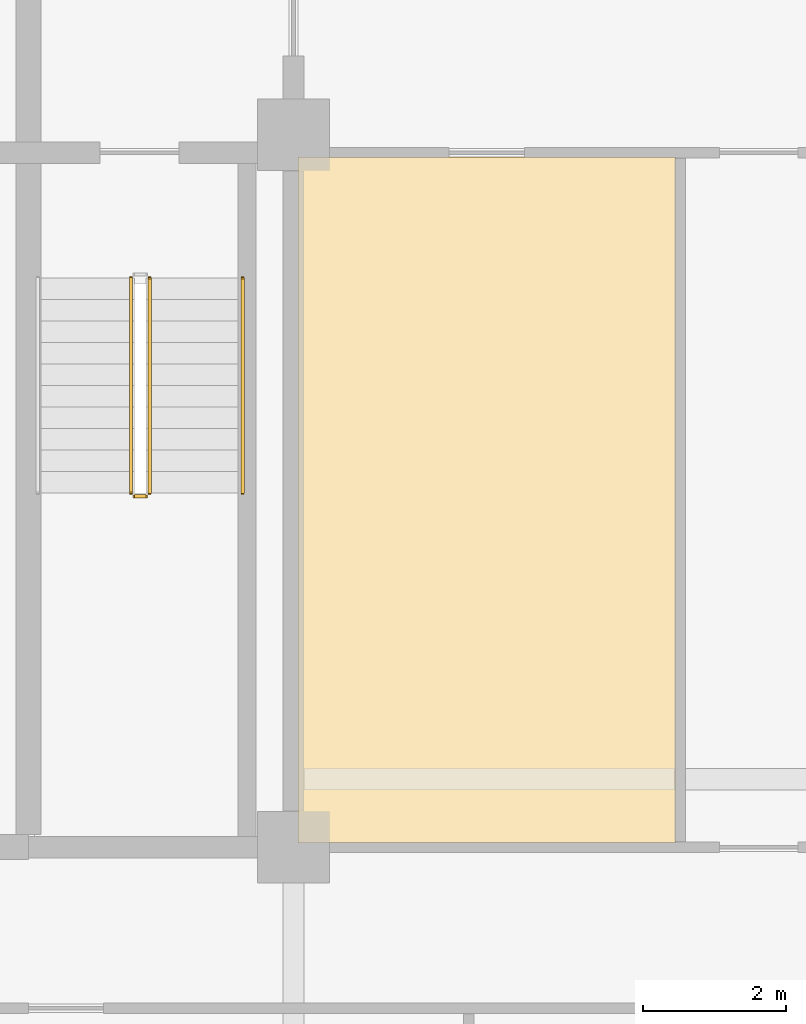
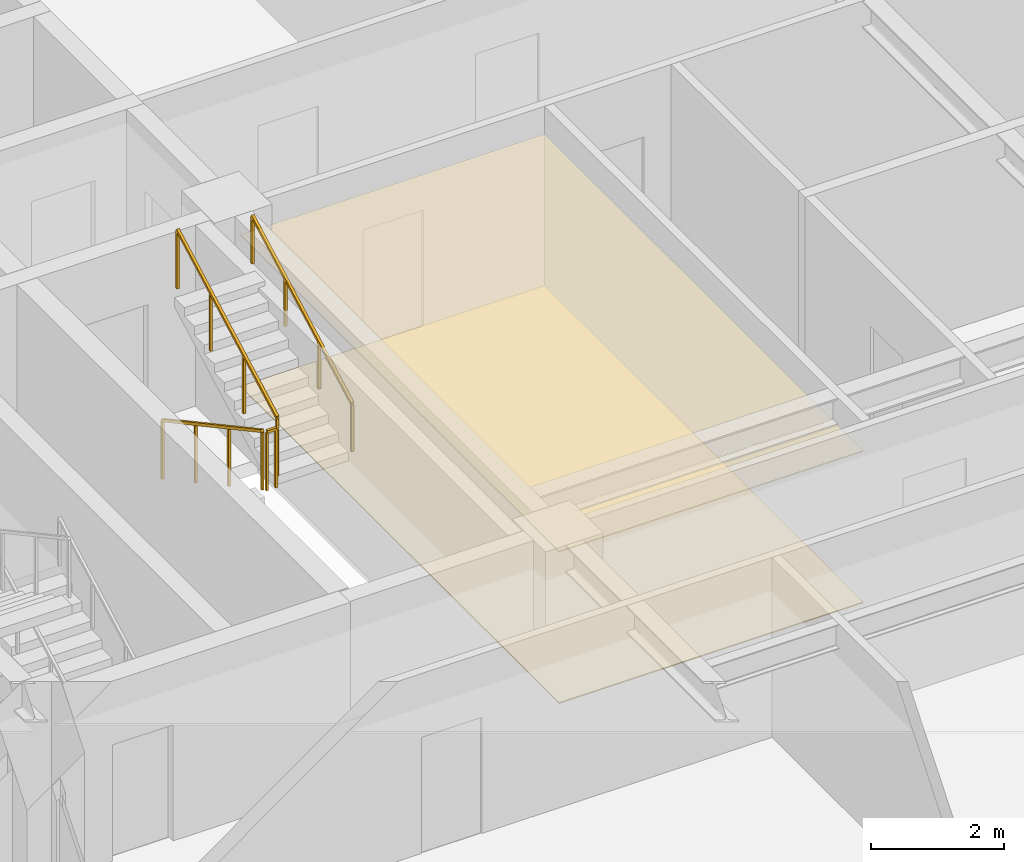
# One storey, part 11 of 15: 4 railings, 2 coverings.
"""IFC4 building model written with IfcOpenShell, lengths in metres."""

from ifc_helpers import new_model, si_unit, direction, frame, origin, origin_2d, place, context, subcontext, project, spatial, polyline, rectangle, outline, extrude, material, layer, layer_set, type_object, element, save


model = new_model("IFC4")

# Units and contexts
model_context = context("Model", 3, precision=1e-05, world=origin(), true_north=direction((0.0, 1.0)))
body_context = subcontext(model_context, "Body", "Model", "MODEL_VIEW")
ifc_project = project(units=[si_unit("LENGTHUNIT", "METRE"), si_unit("AREAUNIT", "SQUARE_METRE"), si_unit("VOLUMEUNIT", "CUBIC_METRE"), si_unit("PLANEANGLEUNIT", "RADIAN"), si_unit("MASSUNIT", "GRAM", prefix="KILO")], contexts=[model_context])

# Site, building, storey
site_placement = place(None, origin())
site = spatial("IfcSite", under=ifc_project, at=site_placement, CompositionType="ELEMENT")
building_placement = place(site_placement, origin())
building = spatial("IfcBuilding", under=site, at=building_placement, Name="Zulmaris Gate Convention Tower", CompositionType="ELEMENT")
storey_placement = place(building_placement, frame((0.0, 0.0, 128.48974609375)))
storey = spatial("IfcBuildingStorey", under=building, at=storey_placement, Name="L32", CompositionType="ELEMENT", Elevation=128.48974609375)

# Coverings
ifc_material_1 = material(Name="Mineral Fibre Acoustic Ceiling Tile")
ifc_layer_1 = layer(ifc_material_1, 0.02001953125, Name="Mineral Fibre Acoustic Ceiling Tile")
ifc_layer_set_1 = layer_set([ifc_layer_1], Name="Mineral Fibre Acoustic Ceiling Tile")
covering_type_1 = type_object("IfcCoveringType", Name="CLG-ACOUSTIC-600", PredefinedType="CEILING", material=ifc_layer_set_1)
covering_1_placement = place(storey_placement, frame((0.0, 0.0, 2.778076171875)))
element("IfcCovering", 1, at=covering_1_placement, inside=storey, type_object=covering_type_1, Name="CLG-L32-R43", PredefinedType="CEILING", context=body_context, shape_type="SweptSolid", body=[
    extrude(outline(polyline([(-10.93994140625, -9.889892578125), (-5.659912109375, -9.889892578125), (-5.659912109375, -0.31005859375), (-10.93994140625, -0.31005859375), (-10.93994140625, -9.889892578125)])), origin(), (0.0, 0.0, 1.0), 0.02001953125),
])
ifc_material_2 = material(Name="Woven Acoustic Wool Carpet Tile")
ifc_layer_2 = layer(ifc_material_2, 0.02001953125, Name="Woven Acoustic Wool Carpet Tile")
ifc_layer_set_2 = layer_set([ifc_layer_2], Name="Woven Acoustic Wool Carpet Tile")
covering_type_2 = type_object("IfcCoveringType", Name="FLR-CARPET-12", PredefinedType="FLOORING", material=ifc_layer_set_2)
covering_2_placement = place(storey_placement, origin())
element("IfcCovering", 2, at=covering_2_placement, inside=storey, type_object=covering_type_2, Name="FLR-L32-R43", PredefinedType="FLOORING", context=body_context, shape_type="SweptSolid", body=[
    extrude(outline(polyline([(-10.93994140625, -9.889892578125), (-5.659912109375, -9.889892578125), (-5.659912109375, -0.31005859375), (-10.93994140625, -0.31005859375), (-10.93994140625, -9.889892578125)])), origin(), (0.0, 0.0, 1.0), 0.02001953125),
])

# Railings
ifc_material_3 = material(Name="Painted Galvanised Steel", Category="steel")
railing_type_1 = type_object("IfcRailingType", Name="RL-STG-1150", PredefinedType="GUARDRAIL", material=ifc_material_3)
railing_1_placement = place(storey_placement, frame((-13.27001953125, -2.0, 0.162109375)))
element("IfcRailing", 3, at=railing_1_placement, inside=storey, type_object=railing_type_1, Name="L32 ST-1 stair guard 1", PredefinedType="GUARDRAIL", context=body_context, shape_type="SweptSolid", body=[
    extrude(rectangle(XDim=0.048095703125, YDim=0.048095703125, at=origin_2d()), frame((0.0, 0.0, 1.076171875), z_axis=(0.0, -0.8795616155, 0.475784998228), x_axis=(1.0, 0.0, 0.0)), (0.0, 0.0, 1.0), 3.410888671875),
    extrude(rectangle(XDim=0.0419921875, YDim=0.0419921875, at=origin_2d()), origin(), (0.0, 0.0, 1.0), 1.052001953125),
    extrude(rectangle(XDim=0.0419921875, YDim=0.0419921875, at=origin_2d()), frame((0.0, -1.0, 0.541015625)), (0.0, 0.0, 1.0), 1.052001953125),
    extrude(rectangle(XDim=0.0419921875, YDim=0.0419921875, at=origin_2d()), frame((0.0, -2.0, 1.081787109375)), (0.0, 0.0, 1.0), 1.052001953125),
    extrude(rectangle(XDim=0.0419921875, YDim=0.0419921875, at=origin_2d()), frame((0.0, -3.0, 1.622802734375)), (0.0, 0.0, 1.0), 1.052001953125),
])
railing_2_placement = place(storey_placement, frame((-13.219970703125, -5.050048828125, 1.784912109375)))
element("IfcRailing", 4, at=railing_2_placement, inside=storey, type_object=railing_type_1, Name="L32 ST-1 stair guard 2", PredefinedType="GUARDRAIL", context=body_context, shape_type="SweptSolid", body=[
    extrude(rectangle(XDim=0.048095703125, YDim=0.048095703125, at=origin_2d()), frame((0.0, 0.0, 1.076171875), z_axis=(1.0, 0.0, 0.0), x_axis=(0.0, 1.0, 0.0)), (0.0, 0.0, 1.0), 0.159912109375),
    extrude(rectangle(XDim=0.0419921875, YDim=0.0419921875, at=origin_2d()), origin(), (0.0, 0.0, 1.0), 1.052001953125),
    extrude(rectangle(XDim=0.0419921875, YDim=0.0419921875, at=origin_2d()), frame((0.159912109375, 0.0, 0.0)), (0.0, 0.0, 1.0), 1.052001953125),
])
railing_3_placement = place(storey_placement, frame((-13.010009765625, -5.0, 1.947265625)))
element("IfcRailing", 5, at=railing_3_placement, inside=storey, type_object=railing_type_1, Name="L32 ST-1 stair guard 3", PredefinedType="GUARDRAIL", context=body_context, shape_type="SweptSolid", body=[
    extrude(rectangle(XDim=0.048095703125, YDim=0.048095703125, at=origin_2d()), frame((0.0, 0.0, 1.076171875), z_axis=(0.0, 0.8795616155, 0.475784998228), x_axis=(-1.0, 0.0, 0.0)), (0.0, 0.0, 1.0), 3.410888671875),
    extrude(rectangle(XDim=0.0419921875, YDim=0.0419921875, at=origin_2d()), origin(), (0.0, 0.0, 1.0), 1.052001953125),
    extrude(rectangle(XDim=0.0419921875, YDim=0.0419921875, at=origin_2d()), frame((0.0, 1.0, 0.541015625)), (0.0, 0.0, 1.0), 1.052001953125),
    extrude(rectangle(XDim=0.0419921875, YDim=0.0419921875, at=origin_2d()), frame((0.0, 2.0, 1.081787109375)), (0.0, 0.0, 1.0), 1.052001953125),
    extrude(rectangle(XDim=0.0419921875, YDim=0.0419921875, at=origin_2d()), frame((0.0, 3.0, 1.622802734375)), (0.0, 0.0, 1.0), 1.052001953125),
])
ifc_material_4 = material(Name="Brushed Stainless Steel", Category="steel")
railing_type_2 = type_object("IfcRailingType", Name="RL-STH-900", PredefinedType="HANDRAIL", material=ifc_material_4)
railing_4_placement = place(storey_placement, frame((-11.7099609375, -5.0, 1.947265625)))
element("IfcRailing", 6, at=railing_4_placement, inside=storey, type_object=railing_type_2, Name="L32 ST-1 stair handrail 2", PredefinedType="HANDRAIL", context=body_context, shape_type="SweptSolid", body=[
    extrude(rectangle(XDim=0.048095703125, YDim=0.048095703125, at=origin_2d()), frame((0.0, 0.0, 0.8759765625), z_axis=(0.0, 0.8795616155, 0.475784998228), x_axis=(-1.0, 0.0, 0.0)), (0.0, 0.0, 1.0), 3.410888671875),
    extrude(rectangle(XDim=0.0419921875, YDim=0.0419921875, at=origin_2d()), origin(), (0.0, 0.0, 1.0), 0.851806640625),
    extrude(rectangle(XDim=0.0419921875, YDim=0.0419921875, at=origin_2d()), frame((0.0, 1.0, 0.541015625)), (0.0, 0.0, 1.0), 0.851806640625),
    extrude(rectangle(XDim=0.0419921875, YDim=0.0419921875, at=origin_2d()), frame((0.0, 2.0, 1.081787109375)), (0.0, 0.0, 1.0), 0.851806640625),
    extrude(rectangle(XDim=0.0419921875, YDim=0.0419921875, at=origin_2d()), frame((0.0, 3.0, 1.622802734375)), (0.0, 0.0, 1.0), 0.851806640625),
])

save(model, "model.ifc")
